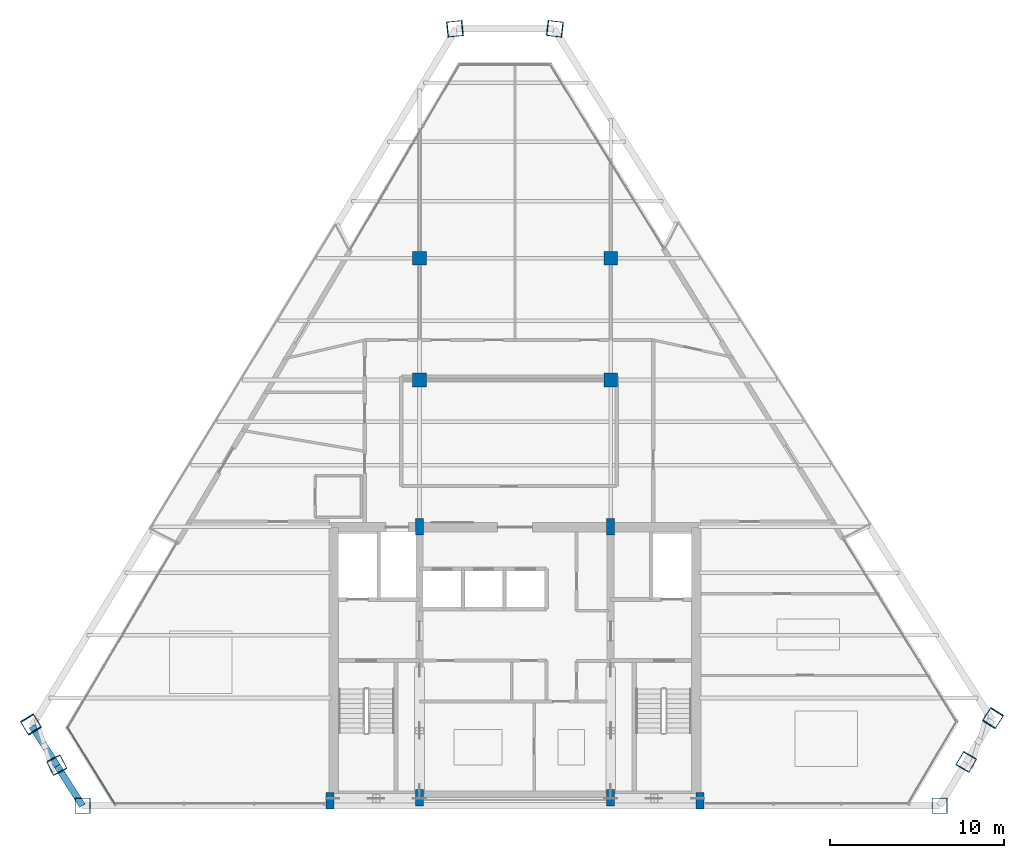
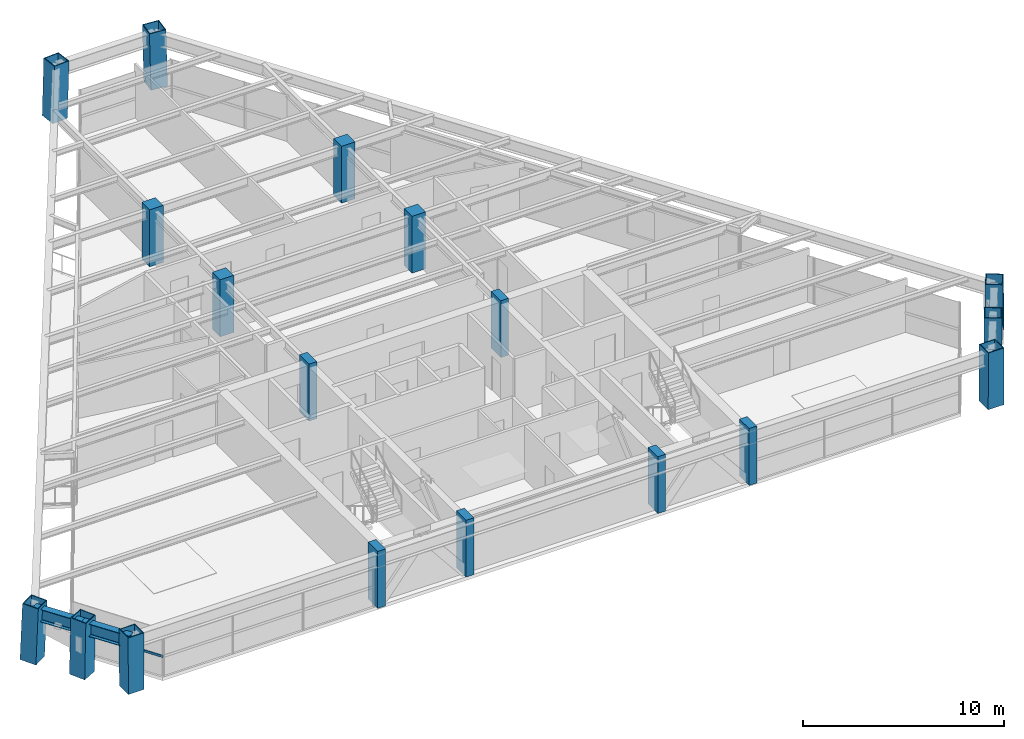
# One storey, part 1 of 13: 18 columns, 2 beams, 1 member, 1 element without a shape of its own.
"""IFC4 building model written with IfcOpenShell, lengths in metres."""

from ifc_helpers import new_model, si_unit, direction, frame, origin, origin_2d, place, context, subcontext, project, spatial, rectangle, hollow_rectangle, i_section, extrude, source, transform, mapped, material, material_profile, profile_set, type_object, element, aggregate, save


model = new_model("IFC4")

# Units and contexts
model_context = context("Model", 3, precision=1e-05, world=origin(), true_north=direction((0.0, 1.0)))
body_context = subcontext(model_context, "Body", "Model", "MODEL_VIEW")
ifc_project = project(units=[si_unit("LENGTHUNIT", "METRE"), si_unit("AREAUNIT", "SQUARE_METRE"), si_unit("VOLUMEUNIT", "CUBIC_METRE"), si_unit("PLANEANGLEUNIT", "RADIAN"), si_unit("MASSUNIT", "GRAM", prefix="KILO")], contexts=[model_context])

# Site, building, storey
site_placement = place(None, origin())
site = spatial("IfcSite", under=ifc_project, at=site_placement, CompositionType="ELEMENT")
building_placement = place(site_placement, origin())
building = spatial("IfcBuilding", under=site, at=building_placement, Name="Varnakhor Terracotta Tower", CompositionType="ELEMENT")
storey_placement = place(building_placement, frame((0.0, 0.0, 237.25)))
storey = spatial("IfcBuildingStorey", under=building, at=storey_placement, Name="L61", CompositionType="ELEMENT", Elevation=237.25)

# Columns
ifc_material_1 = material(Name="Concrete C50/60", Category="concrete")
ifc_material_profile_1 = material_profile(ifc_material_1, rectangle(XDim=0.449951171875, YDim=0.949951171875, at=origin_2d()), Name="RC PILASTER 950x450")
ifc_profile_set_1 = profile_set([ifc_material_profile_1], Name="Concrete C50/60")
column_type_1 = type_object("IfcColumnType", Name="COL-PIL-950x450", PredefinedType="PILASTER", material=ifc_profile_set_1)
shared_shape_1 = source(origin(), body_context, "Body", "SweptSolid", [
    extrude(rectangle(XDim=0.449951171875, YDim=0.949951171875, at=origin_2d()), origin(), (0.0, 0.0, 1.0), 3.449951171875),
])
for number, where, z_axis, x_axis, name in (
    (1, (-10.64990234375, 0.300048828125, 0.0), (0.0, 0.0, 1.0), (1.0, 0.0, 0.0), "L61 Core Pilaster CP1"),
    (2, (-5.5, 0.449951171875, 0.0), (0.0, 0.0, 1.0), (1.0, 0.0, 0.0), "L61 Core Pilaster CP2"),
    (3, (5.5, 0.449951171875, 0.0), (0.0, 0.0, 1.0), (1.0, 0.0, 0.0), "L61 Core Pilaster CP3"),
    (4, (10.64990234375, 0.300048828125, 0.0), (0.0, 0.0, 1.0), (1.0, 0.0, 0.0), "L61 Core Pilaster CP4"),
    (5, (-5.5, 16.050048828125, 0.0), (0.0, 0.0, 1.0), (1.0, 0.0, 0.0), "L61 Core Pilaster CP5"),
    (6, (5.5, 16.050048828125, 0.0), (0.0, 0.0, 1.0), (1.0, 0.0, 0.0), "L61 Core Pilaster CP6"),
):
    element("IfcColumn", number, at=place(storey_placement, frame(where, z_axis=z_axis, x_axis=x_axis)), inside=storey, type_object=column_type_1, Name=name, PredefinedType="PILASTER", context=body_context, shape_type="MappedRepresentation", body=[
        mapped(shared_shape_1, transform((0.0, 0.0, 0.0), scale=1.0)),
    ])
ifc_material_2 = material(Name="Steel S460", Category="steel")
ifc_material_profile_2 = material_profile(ifc_material_2, hollow_rectangle(XDim=0.89990234375, YDim=0.89990234375, WallThickness=0.044921875, at=origin_2d()), Name="BOX 900x900x45")
ifc_profile_set_2 = profile_set([ifc_material_profile_2], Name="Steel S460")
column_type_2 = type_object("IfcColumnType", Name="COL-MEGA-900", PredefinedType="COLUMN", material=ifc_profile_set_2)
shared_shape_2 = source(origin(), body_context, "Body", "SweptSolid", [
    extrude(hollow_rectangle(XDim=0.89990234375, YDim=0.89990234375, WallThickness=0.044921875, at=origin_2d()), origin(), (0.0, 0.0, 1.0), 3.441162109375),
])
for number, where, z_axis, x_axis, name in (
    (7, (-24.885498046875, 0.0, 0.00439453125), (-0.003192605226, 0.0, 0.999994903623), (0.0, -1.0, 0.0), "L61 Perimeter Mega-Column M1"),
    (8, (24.430419921875, 0.0, 0.00439453125), (0.001277047557, 0.0, 0.999999184574), (1.0, 0.0, 0.0), "L61 Perimeter Mega-Column M2"),
):
    element("IfcColumn", number, at=place(storey_placement, frame(where, z_axis=z_axis, x_axis=x_axis)), inside=storey, type_object=column_type_2, Name=name, PredefinedType="COLUMN", context=body_context, shape_type="MappedRepresentation", body=[
        mapped(shared_shape_2, transform((0.0, 0.0, 0.0), scale=1.0)),
    ])
shared_shape_3 = source(origin(), body_context, "Body", "SweptSolid", [
    extrude(hollow_rectangle(XDim=0.89990234375, YDim=0.89990234375, WallThickness=0.044921875, at=origin_2d()), origin(), (0.0, 0.0, 1.0), 3.44189453125),
])
for number, where, z_axis, x_axis, name in (
    (9, (25.973876953125, 2.531494140625, 0.00439453125), (-0.009717994802, -0.016385816053, 0.999818516336), (0.860110033295, -0.510108547885, 0.0), "L61 Perimeter Mega-Column M3"),
    (10, (-26.379150390625, 2.348876953125, 0.00439453125), (0.00893764405, -0.017307818636, 0.999810260966), (0.888524887604, 0.458828425566, 0.0), "L61 Perimeter Mega-Column M8"),
):
    element("IfcColumn", number, at=place(storey_placement, frame(where, z_axis=z_axis, x_axis=x_axis)), inside=storey, type_object=column_type_2, Name=name, PredefinedType="COLUMN", context=body_context, shape_type="MappedRepresentation", body=[
        mapped(shared_shape_3, transform((0.0, 0.0, 0.0), scale=1.0)),
    ])
shared_shape_4 = source(origin(), body_context, "Body", "SweptSolid", [
    extrude(hollow_rectangle(XDim=0.89990234375, YDim=0.89990234375, WallThickness=0.044921875, at=origin_2d()), origin(), (0.0, 0.0, 1.0), 3.44384765625),
])
column_1_placement = place(storey_placement, frame((27.517333984375, 5.063232421875, 0.00439453125), z_axis=(-0.020771824592, -0.032823736472, 0.999245282014), x_axis=(0.845011515321, -0.534748107968, 0.0)))
element("IfcColumn", 11, at=column_1_placement, inside=storey, type_object=column_type_2, Name="L61 Perimeter Mega-Column M4", PredefinedType="COLUMN", context=body_context, shape_type="MappedRepresentation", body=[
    mapped(shared_shape_4, transform((0.0, 0.0, 0.0), scale=1.0)),
])
shared_shape_5 = source(origin(), body_context, "Body", "SweptSolid", [
    extrude(hollow_rectangle(XDim=0.89990234375, YDim=0.89990234375, WallThickness=0.044921875, at=origin_2d()), origin(), (0.0, 0.0, 1.0), 3.442138671875),
])
column_2_placement = place(storey_placement, frame((2.306396484375, 44.710693359375, 0.00439453125), z_axis=(-0.023831379043, 0.00276614221, 0.999712165491), x_axis=(-0.115297350862, -0.993331022814, 0.0)))
element("IfcColumn", 12, at=column_2_placement, inside=storey, type_object=column_type_2, Name="L61 Perimeter Mega-Column M5", PredefinedType="COLUMN", context=body_context, shape_type="MappedRepresentation", body=[
    mapped(shared_shape_5, transform((0.0, 0.0, 0.0), scale=1.0)),
])
shared_shape_6 = source(origin(), body_context, "Body", "SweptSolid", [
    extrude(hollow_rectangle(XDim=0.89990234375, YDim=0.89990234375, WallThickness=0.044921875, at=origin_2d()), origin(), (0.0, 0.0, 1.0), 3.444091796875),
])
column_3_placement = place(storey_placement, frame((-27.872802734375, 4.69775390625, 0.00439453125), z_axis=(0.021054016292, -0.034593804547, 0.999179662065), x_axis=(0.854232356107, 0.51989141345, 0.0)))
element("IfcColumn", 13, at=column_3_placement, inside=storey, type_object=column_type_2, Name="L61 Perimeter Mega-Column M7", PredefinedType="COLUMN", context=body_context, shape_type="MappedRepresentation", body=[
    mapped(shared_shape_6, transform((0.0, 0.0, 0.0), scale=1.0)),
])
ifc_material_profile_3 = material_profile(ifc_material_1, rectangle(XDim=0.780029296875, YDim=0.780029296875, at=origin_2d()), Name="RC 780x780")
ifc_profile_set_3 = profile_set([ifc_material_profile_3], Name="Concrete C50/60")
column_type_3 = type_object("IfcColumnType", Name="COL-RC-780", PredefinedType="COLUMN", material=ifc_profile_set_3)
shared_shape_7 = source(origin(), body_context, "Body", "SweptSolid", [
    extrude(rectangle(XDim=0.780029296875, YDim=0.780029296875, at=origin_2d()), origin(), (0.0, 0.0, 1.0), 3.449951171875),
])
for number, where, z_axis, x_axis, name in (
    (14, (-5.5, 24.5, 0.0), (0.0, 0.0, 1.0), (1.0, 0.0, 0.0), "L61 Interior Tower Column IC1"),
    (15, (5.5, 24.5, 0.0), (0.0, 0.0, 1.0), (1.0, 0.0, 0.0), "L61 Interior Tower Column IC2"),
    (16, (-5.5, 31.5, 0.0), (0.0, 0.0, 1.0), (1.0, 0.0, 0.0), "L61 Interior Tower Column IC3"),
    (17, (5.5, 31.5, 0.0), (0.0, 0.0, 1.0), (1.0, 0.0, 0.0), "L61 Interior Tower Column IC4"),
):
    element("IfcColumn", number, at=place(storey_placement, frame(where, z_axis=z_axis, x_axis=x_axis)), inside=storey, type_object=column_type_3, Name=name, PredefinedType="COLUMN", context=body_context, shape_type="MappedRepresentation", body=[
        mapped(shared_shape_7, transform((0.0, 0.0, 0.0), scale=1.0)),
    ])
shared_shape_8 = source(origin(), body_context, "Body", "SweptSolid", [
    extrude(hollow_rectangle(XDim=0.89990234375, YDim=0.89990234375, WallThickness=0.044921875, at=origin_2d()), origin(), (0.0, 0.0, 1.0), 3.4423828125),
])
column_4_placement = place(storey_placement, frame((-3.4765625, 44.710693359375, 0.00439453125), z_axis=(0.027091757753, 0.002765912441, 0.999629124421), x_axis=(-0.101566288418, 0.994828773738, 0.0)))
element("IfcColumn", 18, at=column_4_placement, inside=storey, type_object=column_type_2, Name="L61 Perimeter Mega-Column M6", PredefinedType="COLUMN", context=body_context, shape_type="MappedRepresentation", body=[
    mapped(shared_shape_8, transform((0.0, 0.0, 0.0), scale=1.0)),
])

# Beams
ifc_material_3 = material(Name="Steel S355", Category="steel")
ifc_material_profile_4 = material_profile(ifc_material_3, i_section(OverallWidth=0.381103515625, OverallDepth=0.77294921875, WebThickness=0.01708984375, FlangeThickness=0.027099609375, FilletRadius=0.01806640625, at=origin_2d()), Name="W30X173")
ifc_profile_set_4 = profile_set([ifc_material_profile_4], Name="Steel S355")
beam_type = type_object("IfcBeamType", Name="BM-W30X173", PredefinedType="BEAM", material=ifc_profile_set_4)
shared_shape_9 = source(origin(), body_context, "Body", "SweptSolid", [
    extrude(i_section(OverallWidth=0.381103515625, OverallDepth=0.77294921875, WebThickness=0.01708984375, FlangeThickness=0.027099609375, FilletRadius=0.01806640625, at=origin_2d()), origin(), (0.0, 0.0, 1.0), 2.7109375),
])
for number, where, z_axis, x_axis, name in (
    (19, (-27.80029296875, 4.57861328125, 2.853515625), (0.535581189199, -0.84448374157, 0.0), (0.84448374157, 0.535581189199, 0.0), "L61 Perimeter Spandrel 7"),
    (20, (-26.348388671875, 2.289306640625, 2.853515625), (0.535581189199, -0.84448374157, 0.0), (0.84448374157, 0.535581189199, 0.0), "L61 Perimeter Spandrel 8"),
):
    element("IfcBeam", number, at=place(storey_placement, frame(where, z_axis=z_axis, x_axis=x_axis)), inside=storey, type_object=beam_type, Name=name, PredefinedType="BEAM", context=body_context, shape_type="MappedRepresentation", body=[
        mapped(shared_shape_9, transform((0.0, 0.0, 0.0), scale=1.0)),
    ])

# Curtain wall, member
ifc_material_4 = material(Name="Anodised Aluminium Curtain Wall System", Category="aluminium")
curtain_wall_type = type_object("IfcCurtainWallType", Name="CW-SYS-HOTEL-LOGGIA", PredefinedType="NOTDEFINED", material=ifc_material_4)
curtain_wall_placement = place(storey_placement, origin())
curtain_wall = element("IfcCurtainWall", 21, at=curtain_wall_placement, inside=storey, type_object=curtain_wall_type, Name="L61 Facet Curtain Wall 6", PredefinedType="NOTDEFINED")
ifc_material_5 = material(Name="Anodised Aluminium 6063-T6", Category="aluminium")
ifc_material_profile_5 = material_profile(ifc_material_5, rectangle(XDim=0.06494140625, YDim=0.14501953125, at=origin_2d()), Name="ALU TRANSOM 65x145")
ifc_profile_set_5 = profile_set([ifc_material_profile_5], Name="Anodised Aluminium 6063-T6")
member_type = type_object("IfcMemberType", Name="CWT-04", PredefinedType="USERDEFINED", material=ifc_profile_set_5)
shared_shape_10 = source(origin(), body_context, "Body", "SweptSolid", [
    extrude(rectangle(XDim=0.06494140625, YDim=0.14501953125, at=origin_2d()), origin(), (0.0, 0.0, 1.0), 5.22265625),
])
member_placement = place(storey_placement, frame((-23.01806640625, 0.088623046875, 1.184326171875), z_axis=(-0.525862068766, 0.850569858761, 0.0), x_axis=(-0.850569858761, -0.525862068766, 0.0)))
member = element("IfcMember", 22, at=member_placement, type_object=member_type, Name="L61 Facet Curtain Wall 6 Transom 1", ObjectType="TRANSOM", PredefinedType="USERDEFINED", context=body_context, shape_type="MappedRepresentation", body=[
    mapped(shared_shape_10, transform((0.0, 0.0, 0.0), scale=1.0)),
])
aggregate(curtain_wall, [member])

save(model, "model.ifc")
